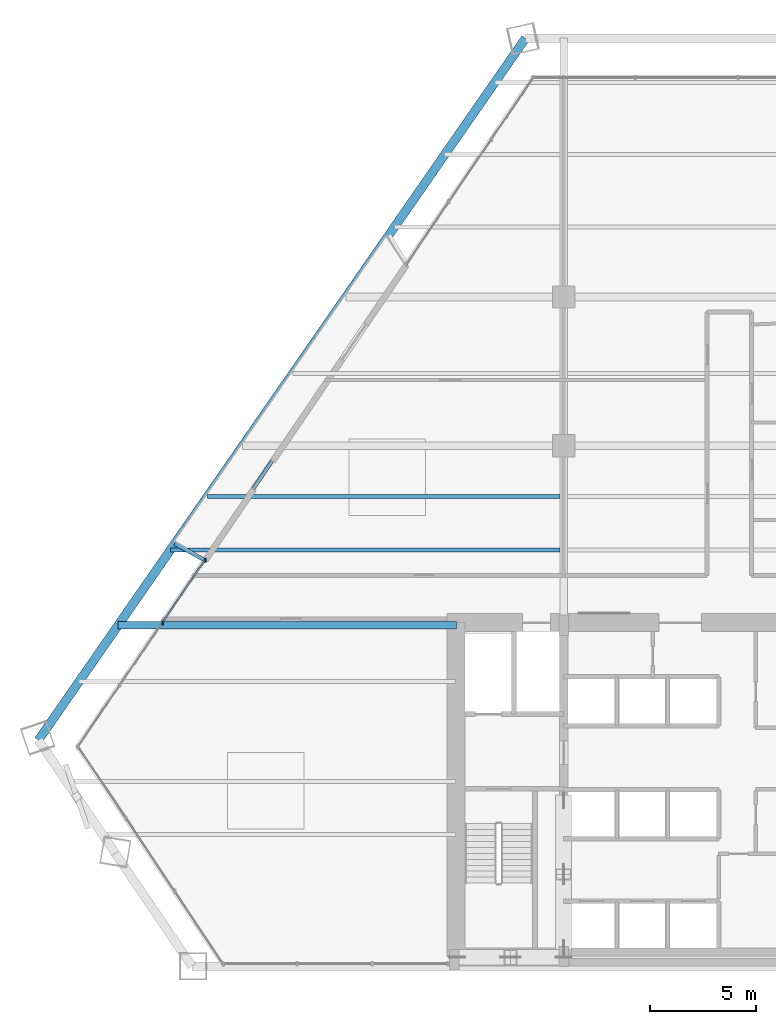
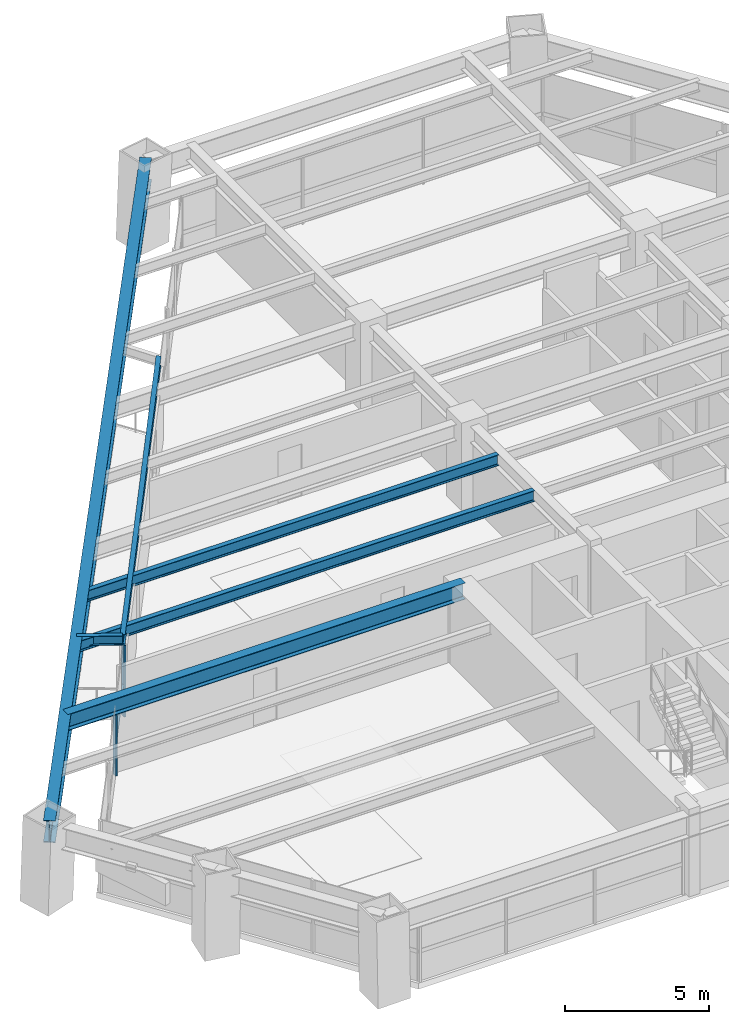
# One storey, part 4 of 14: 6 beams, 3 members, 1 element without a shape of its own.
"""IFC4 building model written with IfcOpenShell, lengths in metres."""

from ifc_helpers import new_model, si_unit, direction, frame, origin, origin_2d, place, context, subcontext, project, spatial, rectangle, i_section, extrude, source, transform, mapped, material, material_profile, profile_set, type_object, type_shapes, element, aggregate, save


model = new_model("IFC4")

# Units and contexts
model_context = context("Model", 3, precision=1e-05, world=origin(), true_north=direction((0.0, 1.0)))
body_context = subcontext(model_context, "Body", "Model", "MODEL_VIEW")
ifc_project = project(units=[si_unit("LENGTHUNIT", "METRE"), si_unit("AREAUNIT", "SQUARE_METRE"), si_unit("VOLUMEUNIT", "CUBIC_METRE"), si_unit("PLANEANGLEUNIT", "RADIAN"), si_unit("MASSUNIT", "GRAM", prefix="KILO")], contexts=[model_context])

# Site, building, storey
site_placement = place(None, origin())
site = spatial("IfcSite", under=ifc_project, at=site_placement, CompositionType="ELEMENT")
building_placement = place(site_placement, origin())
building = spatial("IfcBuilding", under=site, at=building_placement, Name="Varnakhor Terracotta Tower", CompositionType="ELEMENT")
storey_placement = place(building_placement, frame((0.0, 0.0, 53.39990234375)))
storey = spatial("IfcBuildingStorey", under=building, at=storey_placement, Name="L12", CompositionType="ELEMENT", Elevation=53.39990234375)

# Beams
ifc_material_1 = material(Name="Steel S355", Category="steel")
ifc_material_profile_1 = material_profile(ifc_material_1, i_section(OverallWidth=0.41796875, OverallDepth=0.927001953125, WebThickness=0.01904296875, FlangeThickness=0.031982421875, FilletRadius=0.01806640625, at=origin_2d()), Name="W36X231")
ifc_profile_set_1 = profile_set([ifc_material_profile_1], Name="Steel S355")
beam_type_1 = type_object("IfcBeamType", Name="BM-W36X231", PredefinedType="BEAM", material=ifc_profile_set_1)
shared_shape_1 = source(origin(), body_context, "Body", "SweptSolid", [
    extrude(i_section(OverallWidth=0.41796875, OverallDepth=0.927001953125, WebThickness=0.01904296875, FlangeThickness=0.031982421875, FilletRadius=0.01806640625, at=origin_2d()), origin(), (0.0, 0.0, 1.0), 40.21533203125),
])
beam_1_placement = place(storey_placement, frame((-7.2958984375, 43.68017578125, 2.986572265625), z_axis=(-0.570094510756, -0.821579119018, 0.0), x_axis=(0.821579119018, -0.570094510756, 0.0)))
element("IfcBeam", 1, at=beam_1_placement, inside=storey, type_object=beam_type_1, Name="L12 Perimeter Spandrel 6", PredefinedType="BEAM", context=body_context, shape_type="MappedRepresentation", body=[
    mapped(shared_shape_1, transform((0.0, 0.0, 0.0), scale=1.0)),
])
ifc_material_profile_2 = material_profile(ifc_material_1, i_section(OverallWidth=0.179931640625, OverallDepth=0.39990234375, WebThickness=0.008544921875, FlangeThickness=0.013427734375, FilletRadius=0.01806640625, at=origin_2d()), Name="IPE400")
ifc_profile_set_2 = profile_set([ifc_material_profile_2], Name="Steel S355")
beam_type_2 = type_object("IfcBeamType", Name="JST-IPE400", PredefinedType="JOIST", material=ifc_profile_set_2)
shared_shape_2 = source(origin(), body_context, "Body", "SweptSolid", [
    extrude(i_section(OverallWidth=0.179931640625, OverallDepth=0.39990234375, WebThickness=0.008544921875, FlangeThickness=0.013427734375, FilletRadius=0.01806640625, at=origin_2d()), origin(), (0.0, 0.0, 1.0), 16.893798828125),
])
beam_2_placement = place(storey_placement, frame((-12.89794921875, 33.077880859375, 3.25), z_axis=(-0.562555862803, -0.826759276468, 0.0), x_axis=(0.826759276468, -0.562555862803, 0.0)))
element("IfcBeam", 2, at=beam_2_placement, inside=storey, type_object=beam_type_2, Name="L12 Loggia Edge Beam 2", PredefinedType="JOIST", context=body_context, shape_type="MappedRepresentation", body=[
    mapped(shared_shape_2, transform((0.0, 0.0, 0.0), scale=1.0)),
])
ifc_material_profile_3 = material_profile(ifc_material_1, i_section(OverallWidth=0.35498046875, OverallDepth=0.695068359375, WebThickness=0.014892578125, FlangeThickness=0.02490234375, FilletRadius=0.01806640625, at=origin_2d()), Name="W27X146")
ifc_profile_set_3 = profile_set([ifc_material_profile_3], Name="Steel S355")
beam_type_3 = type_object("IfcBeamType", Name="BM-W27X146", PredefinedType="BEAM", material=ifc_profile_set_3)
shared_shape_3 = source(origin(), body_context, "Body", "SweptSolid", [
    extrude(i_section(OverallWidth=0.35498046875, OverallDepth=0.695068359375, WebThickness=0.014892578125, FlangeThickness=0.02490234375, FilletRadius=0.01806640625, at=origin_2d()), origin(), (0.0, 0.0, 1.0), 15.91845703125),
])
beam_3_placement = place(storey_placement, frame((-26.468505859375, 16.050048828125, 3.1025390625), z_axis=(1.0, 0.0, 0.0), x_axis=(0.0, 1.0, 0.0)))
element("IfcBeam", 3, at=beam_3_placement, inside=storey, type_object=beam_type_3, Name="L12 Wing Girder W", PredefinedType="BEAM", context=body_context, shape_type="MappedRepresentation", body=[
    mapped(shared_shape_3, transform((0.0, 0.0, 0.0), scale=1.0)),
])
ifc_material_profile_4 = material_profile(ifc_material_1, i_section(OverallWidth=0.19189453125, OverallDepth=0.462890625, WebThickness=0.010498046875, FlangeThickness=0.017578125, FilletRadius=0.01806640625, at=origin_2d()), Name="W18X60")
ifc_profile_set_4 = profile_set([ifc_material_profile_4], Name="Steel S355")
beam_type_4 = type_object("IfcBeamType", Name="JST-W18X60", PredefinedType="JOIST", material=ifc_profile_set_4)
shared_shape_4 = source(origin(), body_context, "Body", "SweptSolid", [
    extrude(i_section(OverallWidth=0.19189453125, OverallDepth=0.462890625, WebThickness=0.010498046875, FlangeThickness=0.017578125, FilletRadius=0.01806640625, at=origin_2d()), origin(), (0.0, 0.0, 1.0), 18.33154296875),
])
beam_4_placement = place(storey_placement, frame((-24.005126953125, 19.60009765625, 3.218505859375), z_axis=(1.0, 0.0, 0.0), x_axis=(0.0, 1.0, 0.0)))
element("IfcBeam", 4, at=beam_4_placement, inside=storey, type_object=beam_type_4, Name="L12 Composite Floor Joist 4-1", PredefinedType="JOIST", context=body_context, shape_type="MappedRepresentation", body=[
    mapped(shared_shape_4, transform((0.0, 0.0, 0.0), scale=1.0)),
])
shared_shape_5 = source(origin(), body_context, "Body", "SweptSolid", [
    extrude(i_section(OverallWidth=0.19189453125, OverallDepth=0.462890625, WebThickness=0.010498046875, FlangeThickness=0.017578125, FilletRadius=0.01806640625, at=origin_2d()), origin(), (0.0, 0.0, 1.0), 16.596923828125),
])
beam_5_placement = place(storey_placement, frame((-22.2705078125, 22.10009765625, 3.218505859375), z_axis=(1.0, 0.0, 0.0), x_axis=(0.0, 1.0, 0.0)))
element("IfcBeam", 5, at=beam_5_placement, inside=storey, type_object=beam_type_4, Name="L12 Composite Floor Joist 5-1", PredefinedType="JOIST", context=body_context, shape_type="MappedRepresentation", body=[
    mapped(shared_shape_5, transform((0.0, 0.0, 0.0), scale=1.0)),
])

# Curtain wall, members
ifc_material_2 = material(Name="Anodised Aluminium Curtain Wall System", Category="aluminium")
curtain_wall_type = type_object("IfcCurtainWallType", Name="CW-SYS-LOW-OFFICE", PredefinedType="NOTDEFINED", material=ifc_material_2)
curtain_wall_placement = place(storey_placement, origin())
curtain_wall = element("IfcCurtainWall", 6, at=curtain_wall_placement, inside=storey, type_object=curtain_wall_type, Name="L12 W Facet Curtain Wall 1", PredefinedType="NOTDEFINED")
ifc_material_3 = material(Name="Anodised Aluminium 6063-T6", Category="aluminium")
ifc_material_profile_5 = material_profile(ifc_material_3, rectangle(XDim=0.074951171875, YDim=0.18505859375, at=origin_2d()), Name="ALU MULLION 75x185")
ifc_profile_set_5 = profile_set([ifc_material_profile_5], Name="Anodised Aluminium 6063-T6")
member_type_1 = type_object("IfcMemberType", Name="CWM-02", PredefinedType="MULLION", material=ifc_profile_set_5)
shared_shape_6 = source(origin(), body_context, "Body", "SweptSolid", [
    extrude(rectangle(XDim=0.074951171875, YDim=0.18505859375, at=origin_2d()), origin(), (0.0, 0.0, 1.0), 3.030029296875),
])
type_shapes(member_type_1, [shared_shape_6])
member_1_placement = place(storey_placement, frame((-24.389404296875, 16.168701171875, 0.0), z_axis=(0.0, 0.0, 1.0), x_axis=(1.0, 0.0, 0.0)))
member_1 = element("IfcMember", 7, at=member_1_placement, type_object=member_type_1, Name="L12 W Facet Curtain Wall 1 Mullion 3", PredefinedType="MULLION", context=body_context, shape_type="MappedRepresentation", body=[
    mapped(shared_shape_6, transform((0.0, 0.0, 0.0), scale=1.0)),
])
member_2_placement = place(storey_placement, frame((-22.360107421875, 19.1142578125, 0.0), z_axis=(0.0, 0.0, 1.0), x_axis=(1.0, 0.0, 0.0)))
member_2 = element("IfcMember", 8, at=member_2_placement, type_object=member_type_1, Name="L12 W Loggia Jamb Closure Mullion 1", PredefinedType="MULLION", context=body_context, shape_type="MappedRepresentation", body=[
    mapped(shared_shape_6, transform((0.0, 0.0, 0.0), scale=1.0)),
])
ifc_material_profile_6 = material_profile(ifc_material_3, rectangle(XDim=0.074951171875, YDim=0.1650390625, at=origin_2d()), Name="ALU TRANSOM 75x165")
ifc_profile_set_6 = profile_set([ifc_material_profile_6], Name="Anodised Aluminium 6063-T6")
member_type_2 = type_object("IfcMemberType", Name="CWT-02", PredefinedType="USERDEFINED", material=ifc_profile_set_6)
shared_shape_7 = source(origin(), body_context, "Body", "SweptSolid", [
    extrude(rectangle(XDim=0.074951171875, YDim=0.1650390625, at=origin_2d()), origin(), (0.0, 0.0, 1.0), 3.546875),
])
member_3_placement = place(storey_placement, frame((-24.389404296875, 16.168701171875, 1.272705078125), z_axis=(0.562774966435, 0.826610148228, 0.0), x_axis=(-0.826610148228, 0.562774966435, 0.0)))
member_3 = element("IfcMember", 9, at=member_3_placement, type_object=member_type_2, Name="L12 W Facet Curtain Wall 1 Transom 3", ObjectType="TRANSOM", PredefinedType="USERDEFINED", context=body_context, shape_type="MappedRepresentation", body=[
    mapped(shared_shape_7, transform((0.0, 0.0, 0.0), scale=1.0)),
])
aggregate(curtain_wall, [member_1, member_3, member_2])

# Beam
shared_shape_8 = source(origin(), body_context, "Body", "SweptSolid", [
    extrude(i_section(OverallWidth=0.179931640625, OverallDepth=0.39990234375, WebThickness=0.008544921875, FlangeThickness=0.013427734375, FilletRadius=0.01806640625, at=origin_2d()), origin(), (0.0, 0.0, 1.0), 1.60400390625),
])
beam_6_placement = place(storey_placement, frame((-22.401611328125, 19.11083984375, 3.25), z_axis=(-0.87363267939, 0.486586006274, 0.0), x_axis=(-0.486586006274, -0.87363267939, 0.0)))
element("IfcBeam", 10, at=beam_6_placement, inside=storey, type_object=beam_type_2, Name="L13 W Loggia Tie Beam 1", PredefinedType="JOIST", context=body_context, shape_type="MappedRepresentation", body=[
    mapped(shared_shape_8, transform((0.0, 0.0, 0.0), scale=1.0)),
])

save(model, "model.ifc")
